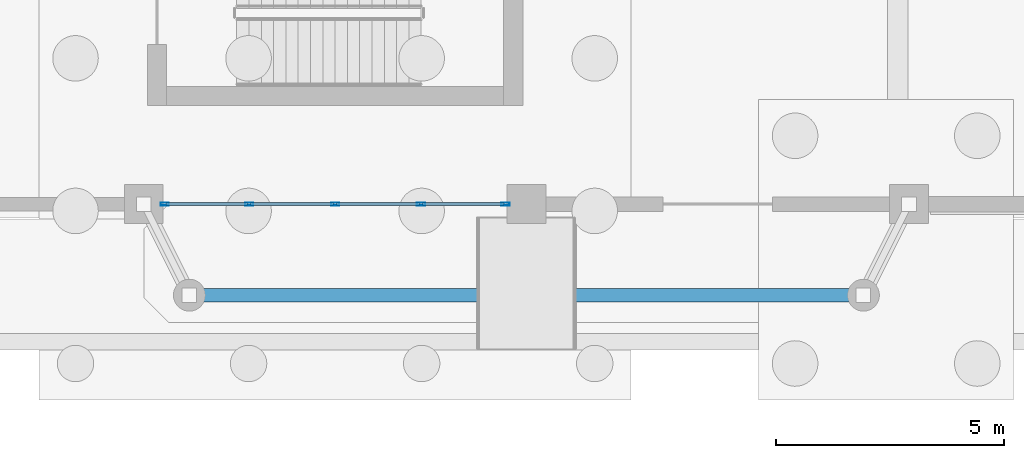
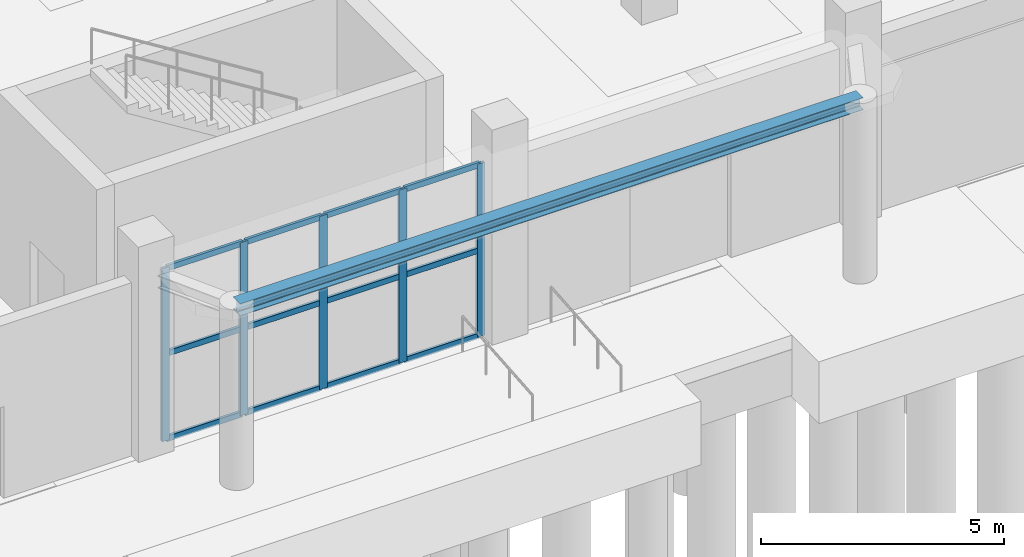
# One storey, part 23 of 98: 17 members, 1 beam, 1 element without a shape of its own.
"""IFC4 building model written with IfcOpenShell, lengths in metres."""

from ifc_helpers import new_model, si_unit, direction, frame, origin, origin_2d, place, context, subcontext, project, spatial, hollow_rectangle, i_section, extrude, material, layer, layer_set, material_profile, profile_set, type_object, element, aggregate, save


model = new_model("IFC4")

# Units and contexts
model_context = context("Model", 3, precision=1e-05, world=origin(), true_north=direction((0.0, 1.0)))
body_context = subcontext(model_context, "Body", "Model", "MODEL_VIEW")
ifc_project = project(units=[si_unit("LENGTHUNIT", "METRE"), si_unit("AREAUNIT", "SQUARE_METRE"), si_unit("VOLUMEUNIT", "CUBIC_METRE"), si_unit("PLANEANGLEUNIT", "RADIAN"), si_unit("MASSUNIT", "GRAM", prefix="KILO")], contexts=[model_context])

# Site, building, storey
site_placement = place(None, origin())
site = spatial("IfcSite", under=ifc_project, at=site_placement, CompositionType="ELEMENT")
building_placement = place(site_placement, origin())
building = spatial("IfcBuilding", under=site, at=building_placement, Name="Xazarin Passage Department Store", CompositionType="ELEMENT")
storey_placement = place(building_placement, origin())
storey = spatial("IfcBuildingStorey", under=building, at=storey_placement, Name="L00", CompositionType="ELEMENT", Elevation=0.0)

# Curtain wall, members
ifc_material_1 = material(Name="Bronze anodised aluminium", Category="aluminium")
ifc_layer = layer(ifc_material_1, 0.159912109375)
ifc_layer_set = layer_set([ifc_layer], Name="Bronze anodised aluminium")
curtain_wall_type = type_object("IfcCurtainWallType", Name="ARC-CW-ARC1", PredefinedType="NOTDEFINED", material=ifc_layer_set)
curtain_wall_placement = place(storey_placement, origin())
curtain_wall = element("IfcCurtainWall", 1, at=curtain_wall_placement, inside=storey, type_object=curtain_wall_type, Name="L00 V2S Curtain Wall 099", PredefinedType="NOTDEFINED")
ifc_material_profile_1 = material_profile(ifc_material_1, hollow_rectangle(XDim=0.06494140625, YDim=0.179931640625, WallThickness=0.00390625, at=origin_2d()), Name="ALU 65x180")
ifc_profile_set_1 = profile_set([ifc_material_profile_1], Name="Bronze anodised aluminium")
member_type_1 = type_object("IfcMemberType", Name="ARC-CWM-65x180", PredefinedType="MULLION", material=ifc_profile_set_1)
member_1_placement = place(storey_placement, frame((76.857421875, 0.0, 0.0), z_axis=(0.0, 0.0, 1.0), x_axis=(0.0, 1.0, 0.0)))
member_1 = element("IfcMember", 2, at=member_1_placement, type_object=member_type_1, Name="CW3 mullion 1", PredefinedType="MULLION", context=body_context, shape_type="SweptSolid", body=[
    extrude(hollow_rectangle(XDim=0.06494140625, YDim=0.179931640625, WallThickness=0.00390625, at=origin_2d()), origin(), (0.0, 0.0, 1.0), 4.35009765625),
])
member_2_placement = place(storey_placement, frame((78.71240234375, 0.0, 0.0), z_axis=(0.0, 0.0, 1.0), x_axis=(0.0, 1.0, 0.0)))
member_2 = element("IfcMember", 3, at=member_2_placement, type_object=member_type_1, Name="CW3 mullion 2", PredefinedType="MULLION", context=body_context, shape_type="SweptSolid", body=[
    extrude(hollow_rectangle(XDim=0.06494140625, YDim=0.179931640625, WallThickness=0.00390625, at=origin_2d()), origin(), (0.0, 0.0, 1.0), 4.35009765625),
])
member_3_placement = place(storey_placement, frame((80.60009765625, 0.0, 0.0), z_axis=(0.0, 0.0, 1.0), x_axis=(0.0, 1.0, 0.0)))
member_3 = element("IfcMember", 4, at=member_3_placement, type_object=member_type_1, Name="CW3 mullion 3", PredefinedType="MULLION", context=body_context, shape_type="SweptSolid", body=[
    extrude(hollow_rectangle(XDim=0.06494140625, YDim=0.179931640625, WallThickness=0.00390625, at=origin_2d()), origin(), (0.0, 0.0, 1.0), 4.35009765625),
])
member_4_placement = place(storey_placement, frame((82.487548828125, 0.0, 0.0), z_axis=(0.0, 0.0, 1.0), x_axis=(0.0, 1.0, 0.0)))
member_4 = element("IfcMember", 5, at=member_4_placement, type_object=member_type_1, Name="CW3 mullion 4", PredefinedType="MULLION", context=body_context, shape_type="SweptSolid", body=[
    extrude(hollow_rectangle(XDim=0.06494140625, YDim=0.179931640625, WallThickness=0.00390625, at=origin_2d()), origin(), (0.0, 0.0, 1.0), 4.35009765625),
])
member_5_placement = place(storey_placement, frame((84.342529296875, 0.0, 0.0), z_axis=(0.0, 0.0, 1.0), x_axis=(0.0, 1.0, 0.0)))
member_5 = element("IfcMember", 6, at=member_5_placement, type_object=member_type_1, Name="CW3 mullion 5", PredefinedType="MULLION", context=body_context, shape_type="SweptSolid", body=[
    extrude(hollow_rectangle(XDim=0.06494140625, YDim=0.179931640625, WallThickness=0.00390625, at=origin_2d()), origin(), (0.0, 0.0, 1.0), 4.35009765625),
])
ifc_material_profile_2 = material_profile(ifc_material_1, hollow_rectangle(XDim=0.06494140625, YDim=0.139892578125, WallThickness=0.00390625, at=origin_2d()), Name="ALU 65x140")
ifc_profile_set_2 = profile_set([ifc_material_profile_2], Name="Bronze anodised aluminium")
member_type_2 = type_object("IfcMemberType", Name="ARC-CWT-65x140", PredefinedType="USERDEFINED", material=ifc_profile_set_2)
member_6_placement = place(storey_placement, frame((76.889892578125, 0.0, 0.032470703125), z_axis=(1.0, 0.0, 0.0), x_axis=(0.0, 1.0, 0.0)))
member_6 = element("IfcMember", 7, at=member_6_placement, type_object=member_type_2, Name="CW3 transom 1.1", ObjectType="TRANSOM", PredefinedType="USERDEFINED", context=body_context, shape_type="SweptSolid", body=[
    extrude(hollow_rectangle(XDim=0.06494140625, YDim=0.139892578125, WallThickness=0.00390625, at=origin_2d()), origin(), (0.0, 0.0, 1.0), 1.7900390625),
])
member_7_placement = place(storey_placement, frame((76.889892578125, 0.0, 2.175048828125), z_axis=(1.0, 0.0, 0.0), x_axis=(0.0, 1.0, 0.0)))
member_7 = element("IfcMember", 8, at=member_7_placement, type_object=member_type_2, Name="CW3 transom 1.2", ObjectType="TRANSOM", PredefinedType="USERDEFINED", context=body_context, shape_type="SweptSolid", body=[
    extrude(hollow_rectangle(XDim=0.06494140625, YDim=0.139892578125, WallThickness=0.00390625, at=origin_2d()), origin(), (0.0, 0.0, 1.0), 1.7900390625),
])
member_8_placement = place(storey_placement, frame((76.889892578125, 0.0, 4.3173828125), z_axis=(1.0, 0.0, 0.0), x_axis=(0.0, 1.0, 0.0)))
member_8 = element("IfcMember", 9, at=member_8_placement, type_object=member_type_2, Name="CW3 transom 1.3", ObjectType="TRANSOM", PredefinedType="USERDEFINED", context=body_context, shape_type="SweptSolid", body=[
    extrude(hollow_rectangle(XDim=0.06494140625, YDim=0.139892578125, WallThickness=0.00390625, at=origin_2d()), origin(), (0.0, 0.0, 1.0), 1.7900390625),
])
member_9_placement = place(storey_placement, frame((78.7451171875, 0.0, 0.032470703125), z_axis=(1.0, 0.0, 0.0), x_axis=(0.0, 1.0, 0.0)))
member_9 = element("IfcMember", 10, at=member_9_placement, type_object=member_type_2, Name="CW3 transom 2.1", ObjectType="TRANSOM", PredefinedType="USERDEFINED", context=body_context, shape_type="SweptSolid", body=[
    extrude(hollow_rectangle(XDim=0.06494140625, YDim=0.139892578125, WallThickness=0.00390625, at=origin_2d()), origin(), (0.0, 0.0, 1.0), 1.822265625),
])
member_10_placement = place(storey_placement, frame((78.7451171875, 0.0, 2.175048828125), z_axis=(1.0, 0.0, 0.0), x_axis=(0.0, 1.0, 0.0)))
member_10 = element("IfcMember", 11, at=member_10_placement, type_object=member_type_2, Name="CW3 transom 2.2", ObjectType="TRANSOM", PredefinedType="USERDEFINED", context=body_context, shape_type="SweptSolid", body=[
    extrude(hollow_rectangle(XDim=0.06494140625, YDim=0.139892578125, WallThickness=0.00390625, at=origin_2d()), origin(), (0.0, 0.0, 1.0), 1.822265625),
])
member_11_placement = place(storey_placement, frame((78.7451171875, 0.0, 4.3173828125), z_axis=(1.0, 0.0, 0.0), x_axis=(0.0, 1.0, 0.0)))
member_11 = element("IfcMember", 12, at=member_11_placement, type_object=member_type_2, Name="CW3 transom 2.3", ObjectType="TRANSOM", PredefinedType="USERDEFINED", context=body_context, shape_type="SweptSolid", body=[
    extrude(hollow_rectangle(XDim=0.06494140625, YDim=0.139892578125, WallThickness=0.00390625, at=origin_2d()), origin(), (0.0, 0.0, 1.0), 1.822265625),
])
member_12_placement = place(storey_placement, frame((80.632568359375, 0.0, 0.032470703125), z_axis=(1.0, 0.0, 0.0), x_axis=(0.0, 1.0, 0.0)))
member_12 = element("IfcMember", 13, at=member_12_placement, type_object=member_type_2, Name="CW3 transom 3.1", ObjectType="TRANSOM", PredefinedType="USERDEFINED", context=body_context, shape_type="SweptSolid", body=[
    extrude(hollow_rectangle(XDim=0.06494140625, YDim=0.139892578125, WallThickness=0.00390625, at=origin_2d()), origin(), (0.0, 0.0, 1.0), 1.822509765625),
])
member_13_placement = place(storey_placement, frame((80.632568359375, 0.0, 2.175048828125), z_axis=(1.0, 0.0, 0.0), x_axis=(0.0, 1.0, 0.0)))
member_13 = element("IfcMember", 14, at=member_13_placement, type_object=member_type_2, Name="CW3 transom 3.2", ObjectType="TRANSOM", PredefinedType="USERDEFINED", context=body_context, shape_type="SweptSolid", body=[
    extrude(hollow_rectangle(XDim=0.06494140625, YDim=0.139892578125, WallThickness=0.00390625, at=origin_2d()), origin(), (0.0, 0.0, 1.0), 1.822509765625),
])
member_14_placement = place(storey_placement, frame((80.632568359375, 0.0, 4.3173828125), z_axis=(1.0, 0.0, 0.0), x_axis=(0.0, 1.0, 0.0)))
member_14 = element("IfcMember", 15, at=member_14_placement, type_object=member_type_2, Name="CW3 transom 3.3", ObjectType="TRANSOM", PredefinedType="USERDEFINED", context=body_context, shape_type="SweptSolid", body=[
    extrude(hollow_rectangle(XDim=0.06494140625, YDim=0.139892578125, WallThickness=0.00390625, at=origin_2d()), origin(), (0.0, 0.0, 1.0), 1.822509765625),
])
member_15_placement = place(storey_placement, frame((82.52001953125, 0.0, 0.032470703125), z_axis=(1.0, 0.0, 0.0), x_axis=(0.0, 1.0, 0.0)))
member_15 = element("IfcMember", 16, at=member_15_placement, type_object=member_type_2, Name="CW3 transom 4.1", ObjectType="TRANSOM", PredefinedType="USERDEFINED", context=body_context, shape_type="SweptSolid", body=[
    extrude(hollow_rectangle(XDim=0.06494140625, YDim=0.139892578125, WallThickness=0.00390625, at=origin_2d()), origin(), (0.0, 0.0, 1.0), 1.7900390625),
])
member_16_placement = place(storey_placement, frame((82.52001953125, 0.0, 2.175048828125), z_axis=(1.0, 0.0, 0.0), x_axis=(0.0, 1.0, 0.0)))
member_16 = element("IfcMember", 17, at=member_16_placement, type_object=member_type_2, Name="CW3 transom 4.2", ObjectType="TRANSOM", PredefinedType="USERDEFINED", context=body_context, shape_type="SweptSolid", body=[
    extrude(hollow_rectangle(XDim=0.06494140625, YDim=0.139892578125, WallThickness=0.00390625, at=origin_2d()), origin(), (0.0, 0.0, 1.0), 1.7900390625),
])
member_17_placement = place(storey_placement, frame((82.52001953125, 0.0, 4.3173828125), z_axis=(1.0, 0.0, 0.0), x_axis=(0.0, 1.0, 0.0)))
member_17 = element("IfcMember", 18, at=member_17_placement, type_object=member_type_2, Name="CW3 transom 4.3", ObjectType="TRANSOM", PredefinedType="USERDEFINED", context=body_context, shape_type="SweptSolid", body=[
    extrude(hollow_rectangle(XDim=0.06494140625, YDim=0.139892578125, WallThickness=0.00390625, at=origin_2d()), origin(), (0.0, 0.0, 1.0), 1.7900390625),
])
aggregate(curtain_wall, [member_1, member_2, member_3, member_4, member_5, member_6, member_7, member_8, member_9, member_10, member_11, member_12, member_13, member_14, member_15, member_16, member_17])

# Beam
ifc_material_2 = material(Name="Steel S355", Category="steel")
ifc_material_profile_3 = material_profile(ifc_material_2, i_section(OverallWidth=0.300048828125, OverallDepth=0.31005859375, WebThickness=0.009033203125, FlangeThickness=0.015380859375, FilletRadius=0.027099609375, at=origin_2d()), Name="HEA 320")
ifc_profile_set_3 = profile_set([ifc_material_profile_3], Name="Steel S355")
beam_type = type_object("IfcBeamType", Name="STR-BM-CAN320", PredefinedType="BEAM", material=ifc_profile_set_3)
beam_placement = place(storey_placement, frame((77.39990234375, -2.0, 4.375), z_axis=(1.0, 0.0, 0.0), x_axis=(0.0, 1.0, 0.0)))
element("IfcBeam", 19, at=beam_placement, inside=storey, type_object=beam_type, Name="Entrance Canopy Frame Beam CN2-3", PredefinedType="BEAM", context=body_context, shape_type="SweptSolid", body=[
    extrude(i_section(OverallWidth=0.300048828125, OverallDepth=0.31005859375, WebThickness=0.009033203125, FlangeThickness=0.015380859375, FilletRadius=0.027099609375, at=origin_2d()), origin(), (0.0, 0.0, 1.0), 14.800048828125),
])

save(model, "model.ifc")
